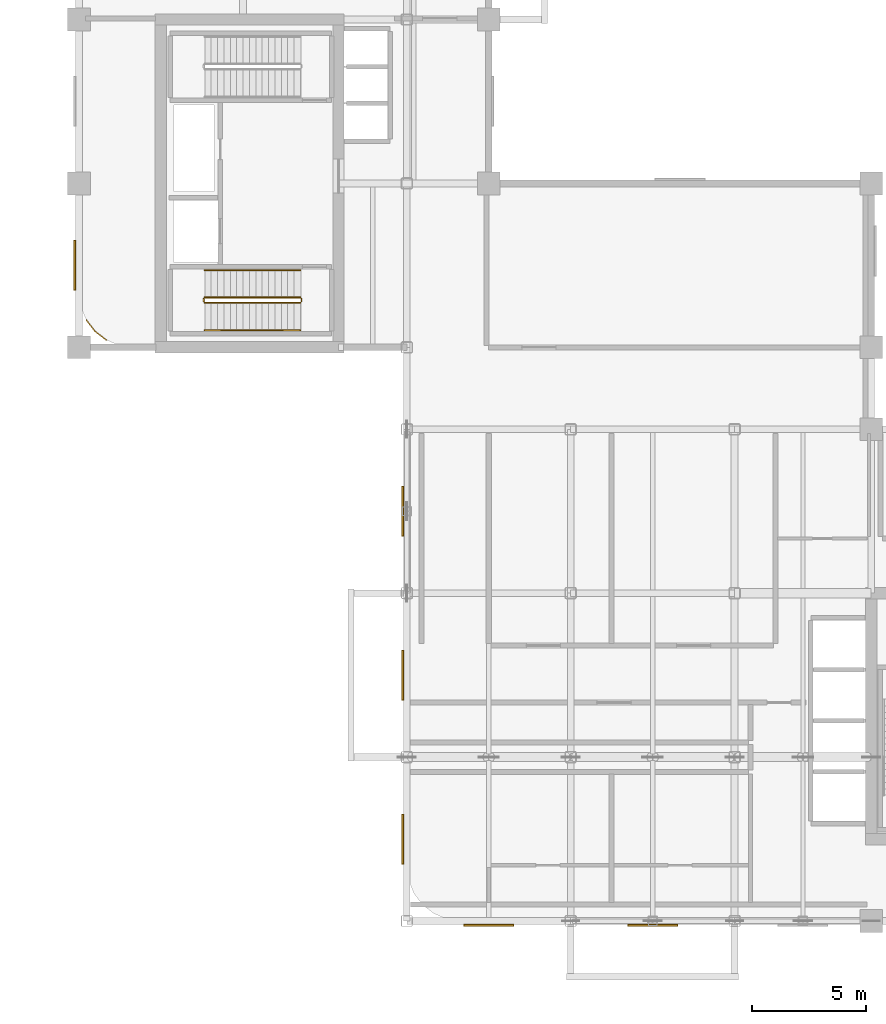
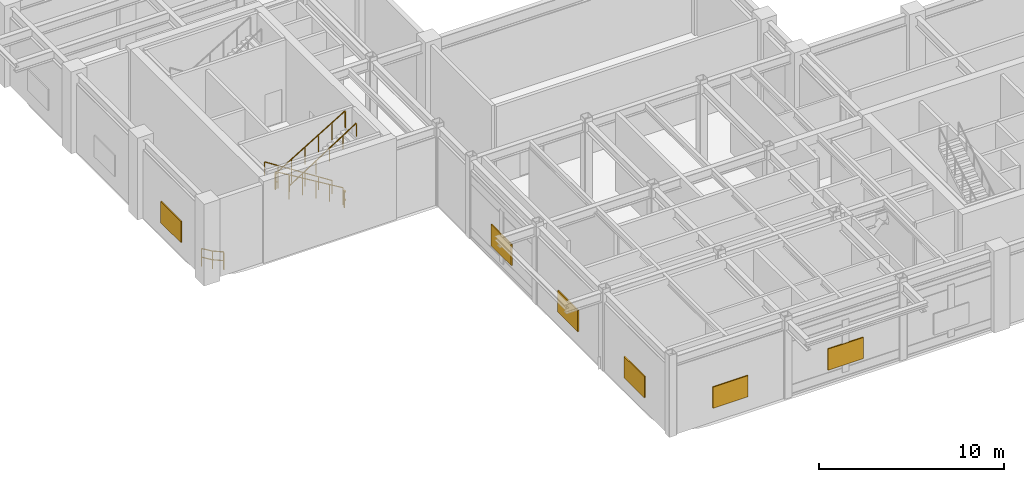
# One storey, part 8 of 10: 7 railings, 6 shading devices.
"""IFC4 building model written with IfcOpenShell, lengths in metres."""

import ifcopenshell
import ifcopenshell.guid

model = None  # the IFC model being written
_history = None  # IfcOwnerHistory: only IFC2X3 demands one
_inside = {}  # id of a spatial element -> (the spatial element, [elements in it])
_under = {}  # id of a project, library or spatial element -> (it, [spatial elements below it])
_declared = {}  # id of a project -> (the project, [libraries it declares])
_typed = {}  # id of a type object -> (the type object, [elements of that type])
_made_of = {}  # id of a material, layer set ... -> (it, [elements and type objects made of it])


def new_model(schema):
    """Start an empty IFC model of exactly this schema.

    Asked for "IFC4X3", IfcOpenShell would pick the latest addendum, in which some entities
    have other attributes; the version numbers below select the first issue.
    IFC2X3 requires an IfcOwnerHistory on every rooted entity: one is made here for all.
    """
    global model, _history
    if schema == "IFC4X3":
        model = ifcopenshell.file(schema_version=(4, 3, 0, 0))
    else:
        model = ifcopenshell.file(schema=schema)
    _inside.clear()
    _under.clear()
    _declared.clear()
    _typed.clear()
    _made_of.clear()
    _history = None
    if model.schema == "IFC2X3":
        org = make("IfcOrganization", Name="unknown")
        user = make(
            "IfcPersonAndOrganization",
            ThePerson=make("IfcPerson", FamilyName="unknown"),
            TheOrganization=org,
        )
        app = make(
            "IfcApplication",
            ApplicationDeveloper=org,
            Version="unknown",
            ApplicationFullName="unknown",
            ApplicationIdentifier="unknown",
        )
        _history = make(
            "IfcOwnerHistory",
            OwningUser=user,
            OwningApplication=app,
            ChangeAction="ADDED",
            CreationDate=0,
        )
    return model


def make(cls, **values):
    """One entity of the class cls with the attributes given. An attribute that is None is left unset."""
    return model.create_entity(
        cls, **{name: value for name, value in values.items() if value is not None}
    )


def rooted(cls, **values):
    """An entity with a GlobalId (a new one), such as an element, a storey or a relation."""
    return make(cls, GlobalId=ifcopenshell.guid.new(), OwnerHistory=_history, **values)


def si_unit(unit_type, name, prefix=None):
    """IfcSIUnit, for example si_unit("LENGTHUNIT", "METRE", prefix="MILLI")."""
    return make("IfcSIUnit", UnitType=unit_type, Prefix=prefix, Name=name)


def derived_unit(unit_type, elements):
    """IfcDerivedUnit: a product of units, each with its exponent."""
    return make(
        "IfcDerivedUnit",
        Elements=[
            make("IfcDerivedUnitElement", Unit=unit, Exponent=power)
            for unit, power in elements
        ],
        UnitType=unit_type,
    )


def assignment(units):
    """IfcUnitAssignment: the units of a project."""
    return None if units is None else make("IfcUnitAssignment", Units=units)


def point(xyz):
    """IfcCartesianPoint."""
    return None if xyz is None else make("IfcCartesianPoint", Coordinates=xyz)


def direction(xyz):
    """IfcDirection."""
    return None if xyz is None else make("IfcDirection", DirectionRatios=xyz)


def frame(location, z_axis=None, x_axis=None):
    """IfcAxis2Placement3D, a coordinate frame: its origin and axes. An axis left out is left unset."""
    return make(
        "IfcAxis2Placement3D",
        Location=point(location),
        Axis=direction(z_axis),
        RefDirection=direction(x_axis),
    )


def frame_2d(location, x_axis=None):
    """IfcAxis2Placement2D, a coordinate frame in the plane: its origin and x axis."""
    return make(
        "IfcAxis2Placement2D", Location=point(location), RefDirection=direction(x_axis)
    )


def origin():
    """The frame at (0, 0, 0) with its axes left unset."""
    return frame((0.0, 0.0, 0.0))


def origin_2d():
    """The frame at (0, 0) in the plane with its x axis left unset."""
    return frame_2d((0.0, 0.0))


def place(relative_to, where):
    """IfcLocalPlacement: puts the frame where relative to a parent placement (None: the world)."""
    return make(
        "IfcLocalPlacement", PlacementRelTo=relative_to, RelativePlacement=where
    )


def context(
    kind, dimensions, precision=None, world=None, true_north=None, identifier=None
):
    """IfcGeometricRepresentationContext, for example the 3D "Model" context."""
    return make(
        "IfcGeometricRepresentationContext",
        ContextIdentifier=identifier,
        ContextType=kind,
        CoordinateSpaceDimension=dimensions,
        Precision=precision,
        WorldCoordinateSystem=world,
        TrueNorth=true_north,
    )


def subcontext(parent, identifier, kind, view, scale=None):
    """IfcGeometricRepresentationSubContext, for example "Body" below "Model"."""
    return make(
        "IfcGeometricRepresentationSubContext",
        ContextIdentifier=identifier,
        ContextType=kind,
        ParentContext=parent,
        TargetScale=scale,
        TargetView=view,
    )


def project(units=None, contexts=None):
    """IfcProject with its units and contexts."""
    return rooted(
        "IfcProject",
        Name="project",
        RepresentationContexts=contexts,
        UnitsInContext=assignment(units),
    )


def spatial(cls, under=None, at=None, **own):
    """A site, building, storey or space (cls), placed at a placement, below another one or the project."""
    s = rooted(cls, ObjectPlacement=at, **own)
    if under is not None:
        _under.setdefault(under.id(), (under, []))[1].append(s)
    return s


def profile(cls, at=None, kind="AREA", **sizes):
    """A parametric profile (cls). Its sizes go by their IFC names, for example OverallWidth=200.0."""
    return make(cls, ProfileType=kind, Position=at, **sizes)


def rectangle(**sizes):
    """IfcRectangleProfileDef."""
    return profile("IfcRectangleProfileDef", **sizes)


def extrude(swept, where, along, depth):
    """IfcExtrudedAreaSolid: the profile swept, set in the frame where, extruded along a direction by depth."""
    return make(
        "IfcExtrudedAreaSolid",
        SweptArea=swept,
        Position=where,
        ExtrudedDirection=direction(along),
        Depth=depth,
    )


def shape(context_of_items, identifier, shape_type, items):
    """IfcShapeRepresentation: the items that make up one representation, for example the "Body"."""
    return make(
        "IfcShapeRepresentation",
        ContextOfItems=context_of_items,
        RepresentationIdentifier=identifier,
        RepresentationType=shape_type,
        Items=items,
    )


def source(mapping_origin, context_of_items, identifier, shape_type, items):
    """IfcRepresentationMap: a shape defined once, which mapped items show again and again."""
    return make(
        "IfcRepresentationMap",
        MappingOrigin=mapping_origin,
        MappedRepresentation=shape(context_of_items, identifier, shape_type, items),
    )


def transform(
    local_origin,
    x_axis=None,
    y_axis=None,
    z_axis=None,
    scale=None,
    scale2=None,
    scale3=None,
    uniform=True,
):
    """IfcCartesianTransformationOperator3D, or its non-uniform kind. x_axis, y_axis, z_axis: its Axis1, 2, 3."""
    if uniform:
        return make(
            "IfcCartesianTransformationOperator3D",
            Axis1=direction(x_axis),
            Axis2=direction(y_axis),
            LocalOrigin=point(local_origin),
            Scale=scale,
            Axis3=direction(z_axis),
        )
    return make(
        "IfcCartesianTransformationOperator3DnonUniform",
        Axis1=direction(x_axis),
        Axis2=direction(y_axis),
        LocalOrigin=point(local_origin),
        Scale=scale,
        Axis3=direction(z_axis),
        Scale2=scale2,
        Scale3=scale3,
    )


def mapped(mapping_source, mapping_target):
    """IfcMappedItem: shows the shape of a source again, moved by a transform."""
    return make(
        "IfcMappedItem", MappingSource=mapping_source, MappingTarget=mapping_target
    )


def material(Name=None, Category=None):
    """IfcMaterial."""
    return make("IfcMaterial", Name=Name, Category=Category)


def layer(
    of_material, thickness, ventilated=None, Name=None, Category=None, Priority=None
):
    """IfcMaterialLayer: one layer of a wall or slab, of a material (None: an air gap)."""
    return make(
        "IfcMaterialLayer",
        Material=of_material,
        LayerThickness=thickness,
        IsVentilated=ventilated,
        Name=Name,
        Category=Category,
        Priority=Priority,
    )


def layer_set(layers, Name=None):
    """IfcMaterialLayerSet."""
    return make("IfcMaterialLayerSet", MaterialLayers=layers, LayerSetName=Name)


def made_of(thing, what):
    """Note that an element or type object is made of a material, layer set ...; save() writes the relation."""
    if what is not None:
        _made_of.setdefault(what.id(), (what, []))[1].append(thing)
    return thing


def type_object(cls, material=None, **own):
    """A type object (cls), such as IfcWallType, which elements share."""
    return made_of(rooted(cls, **own), material)


def type_shapes(of_type, sources):
    """Give a type object the sources (RepresentationMaps) that its elements show as mapped items."""
    of_type.RepresentationMaps = sources


def element(
    cls,
    number,
    at=None,
    inside=None,
    cuts=None,
    type_object=None,
    material=None,
    context=None,
    identifier="Body",
    shape_type=None,
    held_by="IfcProductDefinitionShape",
    body=None,
    shapes=None,
    **own,
):
    """One element of the class cls, such as IfcWall. Its Tag is "e" and its number.

    at: its placement. inside: the storey or other place that contains it. cuts: it is an
    opening in that element (IfcRelVoidsElement). A single representation is given by context,
    identifier, shape_type and body (its items); several are given by shapes. held_by: the class
    of the entity that holds the representations. save() writes the other relations.
    """
    e = rooted(cls, Tag="e%d" % number, ObjectPlacement=at, **own)
    if body is not None:
        shapes = [shape(context, identifier, shape_type, body)]
    if shapes is not None:
        e.Representation = make(held_by, Representations=shapes)
    if inside is not None:
        _inside.setdefault(inside.id(), (inside, []))[1].append(e)
    if cuts is not None:
        rooted(
            "IfcRelVoidsElement", RelatingBuildingElement=cuts, RelatedOpeningElement=e
        )
    if type_object is not None:
        _typed.setdefault(type_object.id(), (type_object, []))[1].append(e)
    return made_of(e, material)


def aggregate(whole, parts):
    """IfcRelAggregates: a whole, such as a stair, and the parts it consists of."""
    return rooted("IfcRelAggregates", RelatingObject=whole, RelatedObjects=parts)


def save(model, path):
    """Write the relations noted so far, then the file.

    IfcRelAggregates (storeys below a building ...), IfcRelContainedInSpatialStructure (elements
    in a storey), IfcRelDefinesByType, IfcRelAssociatesMaterial and IfcRelDeclares: one each for
    every whole, place, type object, material and project.
    """
    for whole, parts in _under.values():
        aggregate(whole, parts)
    for where, things in _inside.values():
        rooted(
            "IfcRelContainedInSpatialStructure",
            RelatedElements=things,
            RelatingStructure=where,
        )
    for kind, things in _typed.values():
        rooted("IfcRelDefinesByType", RelatedObjects=things, RelatingType=kind)
    for what, things in _made_of.values():
        rooted("IfcRelAssociatesMaterial", RelatedObjects=things, RelatingMaterial=what)
    for by, libraries in _declared.values():
        rooted("IfcRelDeclares", RelatingContext=by, RelatedDefinitions=libraries)
    model.write(path)


model = new_model("IFC4")

# Units and contexts
model_context = context("Model", 3, precision=1e-05, world=origin(), true_north=direction((0.0, 1.0)))
body_context = subcontext(model_context, "Body", "Model", "MODEL_VIEW")
ifc_project = project(units=[si_unit("LENGTHUNIT", "METRE"), si_unit("AREAUNIT", "SQUARE_METRE"), si_unit("VOLUMEUNIT", "CUBIC_METRE"), si_unit("PLANEANGLEUNIT", "RADIAN"), si_unit("MASSUNIT", "GRAM", prefix="KILO"), si_unit("THERMODYNAMICTEMPERATUREUNIT", "KELVIN"), si_unit("POWERUNIT", "WATT"), derived_unit("THERMALTRANSMITTANCEUNIT", [(si_unit("POWERUNIT", "WATT"), 1), (si_unit("AREAUNIT", "SQUARE_METRE"), -1), (si_unit("THERMODYNAMICTEMPERATUREUNIT", "KELVIN"), -1)])], contexts=[model_context])

# Site, building, storey
site_placement = place(None, origin())
site = spatial("IfcSite", under=ifc_project, at=site_placement, CompositionType="ELEMENT")
building_placement = place(site_placement, origin())
building = spatial("IfcBuilding", under=site, at=building_placement, Name="Zahravan Archway Hotel and Residences", CompositionType="ELEMENT")
storey_placement = place(building_placement, frame((0.0, 0.0, 196.5)))
storey = spatial("IfcBuildingStorey", under=building, at=storey_placement, Name="L49", CompositionType="ELEMENT", Elevation=196.5)

# Railings
ifc_material_1 = material(Name="Painted Tubular Steel", Category="steel")
railing_type_1 = type_object("IfcRailingType", Name="RL-STG-1150", PredefinedType="GUARDRAIL", material=ifc_material_1)
railing_1_placement = place(storey_placement, frame((9.72998046875, 27.389892578125, 0.168701171875)))
element("IfcRailing", 1, at=railing_1_placement, inside=storey, type_object=railing_type_1, Name="L49 ST-B1 stair guard 1", PredefinedType="GUARDRAIL", context=body_context, shape_type="SweptSolid", body=[
    extrude(rectangle(XDim=0.048095703125, YDim=0.048095703125, at=origin_2d()), frame((0.0, 0.0, 1.1259765625), z_axis=(-0.856476492594, 0.0, 0.516186030065), x_axis=(0.0, -1.0, 0.0)), (0.0, 0.0, 1.0), 4.90380859375),
    extrude(rectangle(XDim=0.0419921875, YDim=0.0419921875, at=origin_2d()), origin(), (0.0, 0.0, 1.0), 1.101806640625),
    extrude(rectangle(XDim=0.0419921875, YDim=0.0419921875, at=origin_2d()), frame((-0.840087890625, 0.0, 0.50634765625)), (0.0, 0.0, 1.0), 1.101806640625),
    extrude(rectangle(XDim=0.0419921875, YDim=0.0419921875, at=origin_2d()), frame((-1.679931640625, 0.0, 1.012451171875)), (0.0, 0.0, 1.0), 1.101806640625),
    extrude(rectangle(XDim=0.0419921875, YDim=0.0419921875, at=origin_2d()), frame((-2.52001953125, 0.0, 1.518798828125)), (0.0, 0.0, 1.0), 1.101806640625),
    extrude(rectangle(XDim=0.0419921875, YDim=0.0419921875, at=origin_2d()), frame((-3.35986328125, 0.0, 2.02490234375)), (0.0, 0.0, 1.0), 1.101806640625),
    extrude(rectangle(XDim=0.0419921875, YDim=0.0419921875, at=origin_2d()), frame((-4.199951171875, 0.0, 2.53125)), (0.0, 0.0, 1.0), 1.101806640625),
])
railing_2_placement = place(storey_placement, frame((5.47998046875, 27.340087890625, 2.699951171875)))
element("IfcRailing", 2, at=railing_2_placement, inside=storey, type_object=railing_type_1, Name="L49 ST-B1 stair guard 2", PredefinedType="GUARDRAIL", context=body_context, shape_type="SweptSolid", body=[
    extrude(rectangle(XDim=0.048095703125, YDim=0.048095703125, at=origin_2d()), frame((0.0, 0.0, 1.1259765625), z_axis=(0.0, -1.0, 0.0), x_axis=(1.0, 0.0, 0.0)), (0.0, 0.0, 1.0), 0.14013671875),
    extrude(rectangle(XDim=0.048095703125, YDim=0.048095703125, at=origin_2d()), frame((0.0, 0.0, 0.574951171875), z_axis=(0.0, -1.0, 0.0), x_axis=(1.0, 0.0, 0.0)), (0.0, 0.0, 1.0), 0.14013671875),
    extrude(rectangle(XDim=0.0419921875, YDim=0.0419921875, at=origin_2d()), origin(), (0.0, 0.0, 1.0), 1.101806640625),
])
railing_3_placement = place(storey_placement, frame((5.530029296875, 27.14990234375, 2.86865234375)))
element("IfcRailing", 3, at=railing_3_placement, inside=storey, type_object=railing_type_1, Name="L49 ST-B1 stair guard 3", PredefinedType="GUARDRAIL", context=body_context, shape_type="SweptSolid", body=[
    extrude(rectangle(XDim=0.048095703125, YDim=0.048095703125, at=origin_2d()), frame((0.0, 0.0, 1.1259765625), z_axis=(0.856476492594, 0.0, 0.516186030065), x_axis=(0.0, 1.0, 0.0)), (0.0, 0.0, 1.0), 4.90380859375),
    extrude(rectangle(XDim=0.0419921875, YDim=0.0419921875, at=origin_2d()), origin(), (0.0, 0.0, 1.0), 1.101806640625),
    extrude(rectangle(XDim=0.0419921875, YDim=0.0419921875, at=origin_2d()), frame((0.840087890625, 0.0, 0.50634765625)), (0.0, 0.0, 1.0), 1.101806640625),
    extrude(rectangle(XDim=0.0419921875, YDim=0.0419921875, at=origin_2d()), frame((1.679931640625, 0.0, 1.012451171875)), (0.0, 0.0, 1.0), 1.101806640625),
    extrude(rectangle(XDim=0.0419921875, YDim=0.0419921875, at=origin_2d()), frame((2.52001953125, 0.0, 1.518798828125)), (0.0, 0.0, 1.0), 1.101806640625),
    extrude(rectangle(XDim=0.0419921875, YDim=0.0419921875, at=origin_2d()), frame((3.35986328125, 0.0, 2.02490234375)), (0.0, 0.0, 1.0), 1.101806640625),
    extrude(rectangle(XDim=0.0419921875, YDim=0.0419921875, at=origin_2d()), frame((4.199951171875, 0.0, 2.53125)), (0.0, 0.0, 1.0), 1.101806640625),
])
railing_4_placement = place(storey_placement, frame((9.780029296875, 27.340087890625, 0.0)))
element("IfcRailing", 4, at=railing_4_placement, inside=storey, type_object=railing_type_1, Name="L49 ST-B1 stair guard 4", PredefinedType="GUARDRAIL", context=body_context, shape_type="SweptSolid", body=[
    extrude(rectangle(XDim=0.048095703125, YDim=0.048095703125, at=origin_2d()), frame((0.0, 0.0, 1.1259765625), z_axis=(0.0, -1.0, 0.0), x_axis=(1.0, 0.0, 0.0)), (0.0, 0.0, 1.0), 0.14013671875),
    extrude(rectangle(XDim=0.048095703125, YDim=0.048095703125, at=origin_2d()), frame((0.0, 0.0, 0.574951171875), z_axis=(0.0, -1.0, 0.0), x_axis=(1.0, 0.0, 0.0)), (0.0, 0.0, 1.0), 0.14013671875),
    extrude(rectangle(XDim=0.0419921875, YDim=0.0419921875, at=origin_2d()), origin(), (0.0, 0.0, 1.0), 1.101806640625),
])
ifc_material_2 = material(Name="Brushed Stainless Steel", Category="steel")
railing_type_2 = type_object("IfcRailingType", Name="RL-STH-900", PredefinedType="HANDRAIL", material=ifc_material_2)
railing_5_placement = place(storey_placement, frame((9.72998046875, 28.590087890625, 0.168701171875)))
element("IfcRailing", 5, at=railing_5_placement, inside=storey, type_object=railing_type_2, Name="L49 ST-B1 stair handrail 1", PredefinedType="HANDRAIL", context=body_context, shape_type="SweptSolid", body=[
    extrude(rectangle(XDim=0.048095703125, YDim=0.048095703125, at=origin_2d()), frame((0.0, 0.0, 0.8759765625), z_axis=(-0.841180064094, 0.0, 0.540755119968), x_axis=(0.0, -1.0, 0.0)), (0.0, 0.0, 1.0), 4.992919921875),
    extrude(rectangle(XDim=0.0419921875, YDim=0.0419921875, at=origin_2d()), origin(), (0.0, 0.0, 1.0), 0.851806640625),
    extrude(rectangle(XDim=0.0419921875, YDim=0.0419921875, at=origin_2d()), frame((-0.840087890625, 0.0, 0.5400390625)), (0.0, 0.0, 1.0), 0.851806640625),
    extrude(rectangle(XDim=0.0419921875, YDim=0.0419921875, at=origin_2d()), frame((-1.679931640625, 0.0, 1.080078125)), (0.0, 0.0, 1.0), 0.851806640625),
    extrude(rectangle(XDim=0.0419921875, YDim=0.0419921875, at=origin_2d()), frame((-2.52001953125, 0.0, 1.619873046875)), (0.0, 0.0, 1.0), 0.851806640625),
    extrude(rectangle(XDim=0.0419921875, YDim=0.0419921875, at=origin_2d()), frame((-3.35986328125, 0.0, 2.159912109375)), (0.0, 0.0, 1.0), 0.851806640625),
    extrude(rectangle(XDim=0.0419921875, YDim=0.0419921875, at=origin_2d()), frame((-4.199951171875, 0.0, 2.699951171875)), (0.0, 0.0, 1.0), 0.851806640625),
])
railing_6_placement = place(storey_placement, frame((5.530029296875, 25.949951171875, 2.86865234375)))
element("IfcRailing", 6, at=railing_6_placement, inside=storey, type_object=railing_type_2, Name="L49 ST-B1 stair handrail 2", PredefinedType="HANDRAIL", context=body_context, shape_type="SweptSolid", body=[
    extrude(rectangle(XDim=0.048095703125, YDim=0.048095703125, at=origin_2d()), frame((0.0, 0.0, 0.8759765625), z_axis=(0.841157821942, 0.0, 0.54078971753), x_axis=(0.0, 1.0, 0.0)), (0.0, 0.0, 1.0), 4.9931640625),
    extrude(rectangle(XDim=0.0419921875, YDim=0.0419921875, at=origin_2d()), origin(), (0.0, 0.0, 1.0), 0.851806640625),
    extrude(rectangle(XDim=0.0419921875, YDim=0.0419921875, at=origin_2d()), frame((0.840087890625, 0.0, 0.5400390625)), (0.0, 0.0, 1.0), 0.851806640625),
    extrude(rectangle(XDim=0.0419921875, YDim=0.0419921875, at=origin_2d()), frame((1.679931640625, 0.0, 1.080078125)), (0.0, 0.0, 1.0), 0.851806640625),
    extrude(rectangle(XDim=0.0419921875, YDim=0.0419921875, at=origin_2d()), frame((2.52001953125, 0.0, 1.6201171875)), (0.0, 0.0, 1.0), 0.851806640625),
    extrude(rectangle(XDim=0.0419921875, YDim=0.0419921875, at=origin_2d()), frame((3.35986328125, 0.0, 2.16015625)), (0.0, 0.0, 1.0), 0.851806640625),
    extrude(rectangle(XDim=0.0419921875, YDim=0.0419921875, at=origin_2d()), frame((4.199951171875, 0.0, 2.7001953125)), (0.0, 0.0, 1.0), 0.851806640625),
])
ifc_material_3 = material(Name="Architectural Bronze Terrace Guardrail")
railing_type_3 = type_object("IfcRailingType", Name="RL-TER-1200", PredefinedType="GUARDRAIL", material=ifc_material_3)
railing_7_placement = place(storey_placement, frame((0.321533203125, 26.39990234375, 0.0)))
element("IfcRailing", 7, at=railing_7_placement, inside=storey, type_object=railing_type_3, Name="L49 Balustrade RL-REFCRN-L49-3", PredefinedType="GUARDRAIL", context=body_context, shape_type="SweptSolid", body=[
    extrude(rectangle(XDim=0.048095703125, YDim=0.048095703125, at=origin_2d()), frame((0.0, 0.0, 1.17578125), z_axis=(0.608693302629, -0.793405610854, 0.0), x_axis=(0.793405610854, 0.608693302629, 0.0)), (0.0, 0.0, 1.0), 0.62646484375),
    extrude(rectangle(XDim=0.048095703125, YDim=0.048095703125, at=origin_2d()), frame((0.0, 0.0, 0.60009765625), z_axis=(0.608693302629, -0.793405610854, 0.0), x_axis=(0.793405610854, 0.608693302629, 0.0)), (0.0, 0.0, 1.0), 0.62646484375),
    extrude(rectangle(XDim=0.048095703125, YDim=0.048095703125, at=origin_2d()), frame((0.38134765625, -0.4970703125, 1.17578125), z_axis=(0.793405610854, -0.608693302629, 0.0), x_axis=(0.608693302629, 0.793405610854, 0.0)), (0.0, 0.0, 1.0), 0.62646484375),
    extrude(rectangle(XDim=0.048095703125, YDim=0.048095703125, at=origin_2d()), frame((0.38134765625, -0.4970703125, 0.60009765625), z_axis=(0.793405610854, -0.608693302629, 0.0), x_axis=(0.608693302629, 0.793405610854, 0.0)), (0.0, 0.0, 1.0), 0.62646484375),
    extrude(rectangle(XDim=0.0419921875, YDim=0.0419921875, at=origin_2d()), origin(), (0.0, 0.0, 1.0), 1.15185546875),
    extrude(rectangle(XDim=0.0419921875, YDim=0.0419921875, at=origin_2d()), frame((0.38134765625, -0.4970703125, 0.0)), (0.0, 0.0, 1.0), 1.15185546875),
    extrude(rectangle(XDim=0.0419921875, YDim=0.0419921875, at=origin_2d()), frame((0.87841796875, -0.87841796875, 0.0)), (0.0, 0.0, 1.0), 1.15185546875),
])

# Shading devices
ifc_material_4 = material(Name="Bronze Acoustic Intake Louvre")
ifc_layer = layer(ifc_material_4, 0.080078125, Name="Bronze Acoustic Intake Louvre")
ifc_layer_set = layer_set([ifc_layer], Name="Bronze Acoustic Intake Louvre")
shading_device_type = type_object("IfcShadingDeviceType", Name="SHD-LOUVRE-60", PredefinedType="USERDEFINED", material=ifc_layer_set)
shared_shape = source(origin(), body_context, "Body", "SweptSolid", [
    extrude(rectangle(XDim=2.199951171875, YDim=0.080078125, at=origin_2d()), origin(), (0.0, 0.0, 1.0), 1.39990234375),
])
type_shapes(shading_device_type, [shared_shape])
for number, where, z_axis, x_axis, name in (
    (8, (18.0, -0.179931640625, 0.949951171875), (0.0, 0.0, 1.0), (1.0, 0.0, 0.0), "L49 Acoustic Plant Intake Louvre 01"),
    (9, (25.199951171875, -0.179931640625, 0.949951171875), (0.0, 0.0, 1.0), (1.0, 0.0, 0.0), "L49 Acoustic Plant Intake Louvre 02"),
    (10, (14.219970703125, 3.60009765625, 0.949951171875), (0.0, 0.0, 1.0), (0.0, 1.0, 0.0), "L49 Acoustic Plant Intake Louvre 09"),
    (11, (14.219970703125, 10.800048828125, 0.949951171875), (0.0, 0.0, 1.0), (0.0, 1.0, 0.0), "L49 Acoustic Plant Intake Louvre 10"),
    (12, (14.219970703125, 18.0, 0.949951171875), (0.0, 0.0, 1.0), (0.0, 1.0, 0.0), "L49 Acoustic Plant Intake Louvre 11"),
    (13, (-0.179931640625, 28.800048828125, 0.949951171875), (0.0, 0.0, 1.0), (0.0, 1.0, 0.0), "L49 Acoustic Plant Intake Louvre 12"),
):
    element("IfcShadingDevice", number, at=place(storey_placement, frame(where, z_axis=z_axis, x_axis=x_axis)), inside=storey, type_object=shading_device_type, Name=name, ObjectType="LOUVER", PredefinedType="USERDEFINED", context=body_context, shape_type="MappedRepresentation", body=[
        mapped(shared_shape, transform((0.0, 0.0, 0.0), scale=1.0)),
    ])

save(model, "model.ifc")
